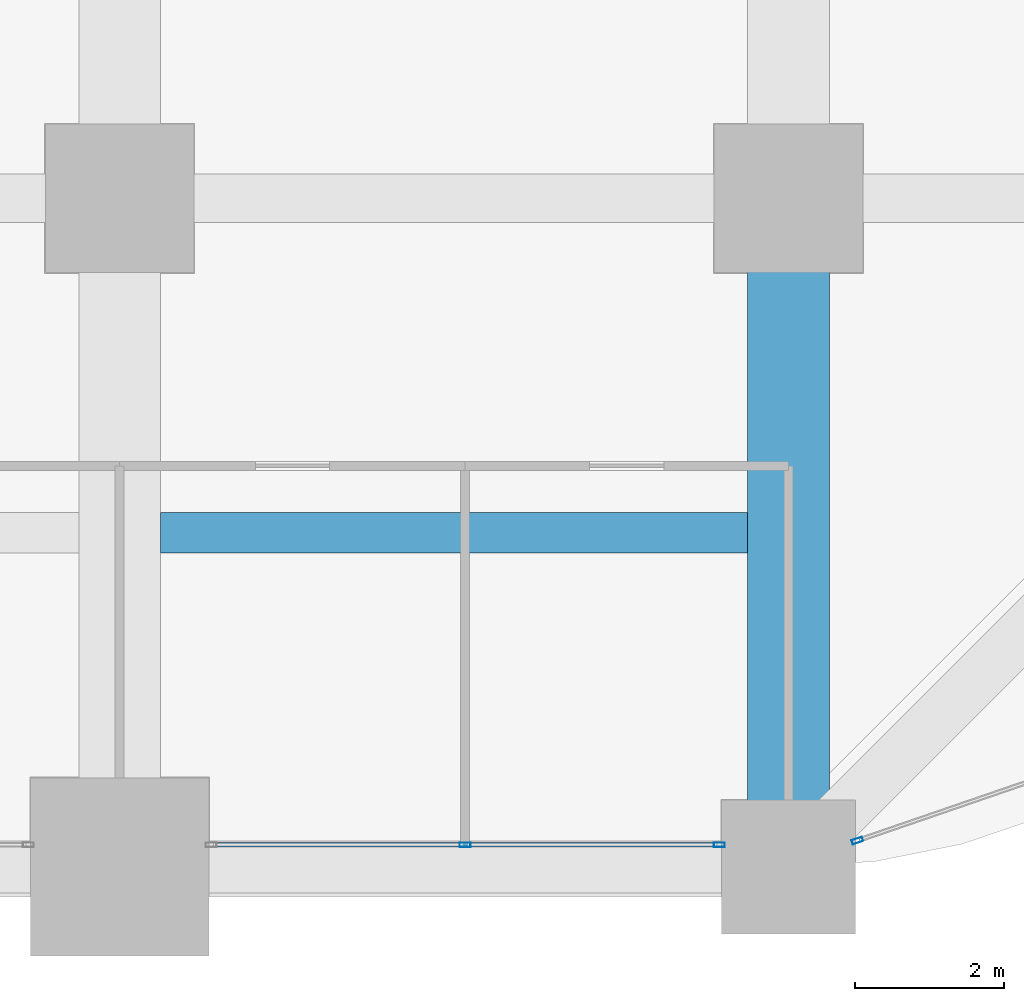
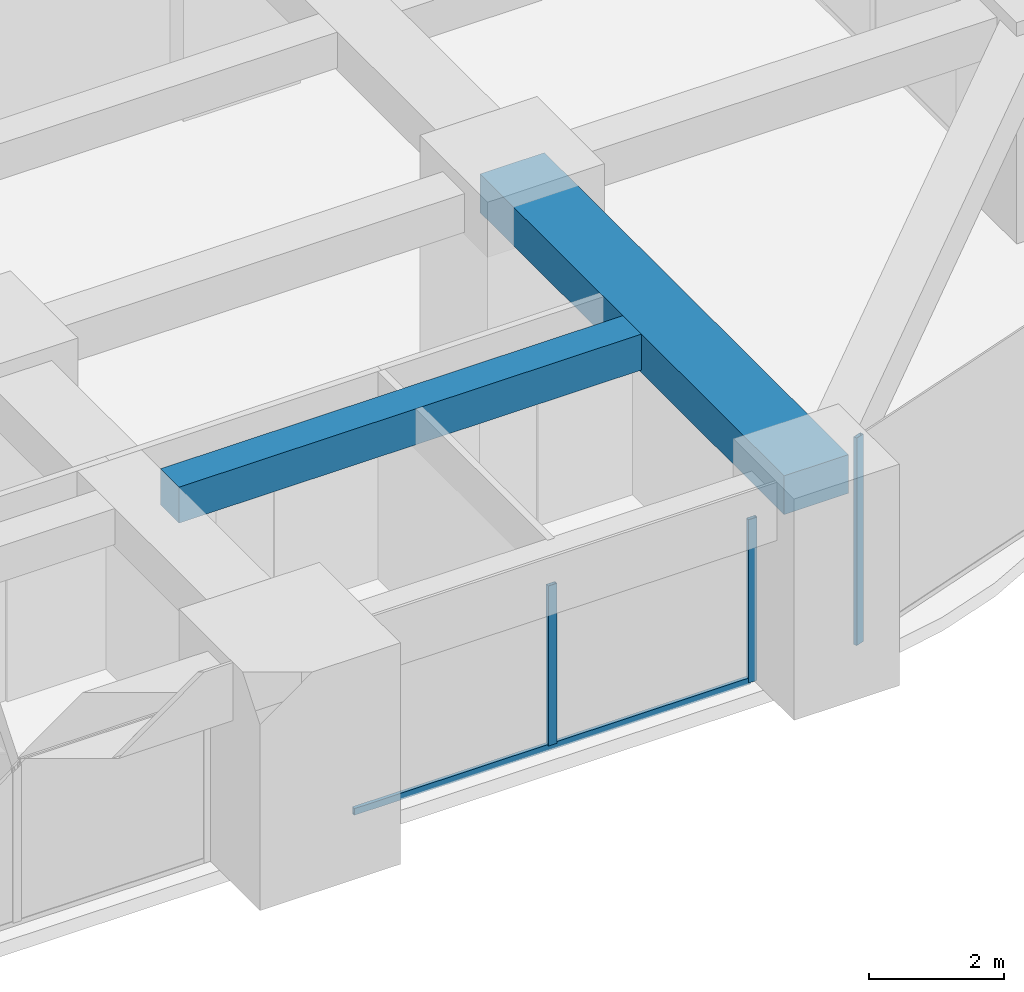
# One storey, part 16 of 41: 4 members, 2 beams, 2 elements without a shape of their own.
"""IFC4 building model written with IfcOpenShell, lengths in metres."""

from ifc_helpers import new_model, si_unit, direction, frame, origin, origin_2d, place, context, subcontext, project, spatial, rectangle, hollow_rectangle, extrude, material, material_profile, profile_set, type_object, element, aggregate, save


model = new_model("IFC4")

# Units and contexts
model_context = context("Model", 3, precision=1e-05, world=origin(), true_north=direction((0.0, 1.0)))
body_context = subcontext(model_context, "Body", "Model", "MODEL_VIEW")
ifc_project = project(units=[si_unit("LENGTHUNIT", "METRE"), si_unit("AREAUNIT", "SQUARE_METRE"), si_unit("VOLUMEUNIT", "CUBIC_METRE"), si_unit("PLANEANGLEUNIT", "RADIAN"), si_unit("MASSUNIT", "GRAM", prefix="KILO")], contexts=[model_context])

# Site, building, storey
site_placement = place(None, origin())
site = spatial("IfcSite", under=ifc_project, at=site_placement, CompositionType="ELEMENT")
building_placement = place(site_placement, origin())
building = spatial("IfcBuilding", under=site, at=building_placement, Name="Zorevar Civic Tower", CompositionType="ELEMENT")
storey_placement = place(building_placement, frame((0.0, 0.0, 101.0)))
storey = spatial("IfcBuildingStorey", under=building, at=storey_placement, Name="L24", CompositionType="ELEMENT", Elevation=101.0)

# Beams
ifc_material_1 = material(Name="Concrete C50/60", Category="concrete")
ifc_material_profile_1 = material_profile(ifc_material_1, rectangle(XDim=1.10009765625, YDim=0.699951171875, at=origin_2d()), Name="RC 1100x700")
ifc_profile_set_1 = profile_set([ifc_material_profile_1], Name="Concrete C50/60")
beam_type_1 = type_object("IfcBeamType", Name="Beam RC 1100x700", PredefinedType="BEAM", material=ifc_profile_set_1)
beam_1_placement = place(storey_placement, frame((54.0, 0.0, 3.39990234375), z_axis=(0.0, 1.0, 0.0), x_axis=(-1.0, 0.0, 0.0)))
element("IfcBeam", 1, at=beam_1_placement, inside=storey, type_object=beam_type_1, Name="Girder L25", PredefinedType="BEAM", context=body_context, shape_type="SweptSolid", body=[
    extrude(rectangle(XDim=1.10009765625, YDim=0.699951171875, at=origin_2d()), origin(), (0.0, 0.0, 1.0), 9.0),
])
ifc_material_2 = material(Name="Concrete C50/60", Category="concrete")
ifc_material_profile_2 = material_profile(ifc_material_2, rectangle(XDim=0.550048828125, YDim=0.64990234375, at=origin_2d()), Name="RC 550x650")
ifc_profile_set_2 = profile_set([ifc_material_profile_2], Name="Concrete C50/60")
beam_type_2 = type_object("IfcBeamType", Name="Beam RC 550x650", PredefinedType="BEAM", material=ifc_profile_set_2)
beam_2_placement = place(storey_placement, frame((45.550048828125, 4.5, 3.425048828125), z_axis=(1.0, 0.0, 0.0), x_axis=(0.0, 1.0, 0.0)))
element("IfcBeam", 2, at=beam_2_placement, inside=storey, type_object=beam_type_2, Name="Secondary beam L25", PredefinedType="BEAM", context=body_context, shape_type="SweptSolid", body=[
    extrude(rectangle(XDim=0.550048828125, YDim=0.64990234375, at=origin_2d()), origin(), (0.0, 0.0, 1.0), 7.89990234375),
])

# Curtain wall, members
ifc_material_3 = material(Name="Dark grey solar-control glass in black aluminium frame", Category="aluminium")
curtain_wall_type = type_object("IfcCurtainWallType", Name="Curtain wall CW3 mid zone", PredefinedType="NOTDEFINED", material=ifc_material_3)
curtain_wall_1_placement = place(storey_placement, origin())
curtain_wall_1 = element("IfcCurtainWall", 3, at=curtain_wall_1_placement, inside=storey, type_object=curtain_wall_type, Name="CW3 L24", PredefinedType="NOTDEFINED")
ifc_material_4 = material(Name="Aluminium, black anodised", Category="aluminium")
ifc_material_profile_3 = material_profile(ifc_material_4, hollow_rectangle(XDim=0.06005859375, YDim=0.14990234375, WallThickness=0.00390625, at=origin_2d()), Name="AL 150x60x4")
ifc_profile_set_3 = profile_set([ifc_material_profile_3], Name="Aluminium, black anodised")
member_type_1 = type_object("IfcMemberType", Name="CW3 mullion AL 150x60x4", PredefinedType="MULLION", material=ifc_profile_set_3)
member_1_placement = place(storey_placement, frame((49.64990234375, 0.300048828125, 0.06005859375), z_axis=(0.0, 0.0, 1.0), x_axis=(0.0, 1.0, 0.0)))
member_1 = element("IfcMember", 4, at=member_1_placement, type_object=member_type_1, Name="CW3 mullion 2", PredefinedType="MULLION", context=body_context, shape_type="SweptSolid", body=[
    extrude(hollow_rectangle(XDim=0.06005859375, YDim=0.14990234375, WallThickness=0.00390625, at=origin_2d()), origin(), (0.0, 0.0, 1.0), 2.889892578125),
])
member_2_placement = place(storey_placement, frame((53.070068359375, 0.300048828125, 0.0), z_axis=(0.0, 0.0, 1.0), x_axis=(0.0, 1.0, 0.0)))
member_2 = element("IfcMember", 5, at=member_2_placement, type_object=member_type_1, Name="CW3 mullion 3", PredefinedType="MULLION", context=body_context, shape_type="SweptSolid", body=[
    extrude(hollow_rectangle(XDim=0.06005859375, YDim=0.14990234375, WallThickness=0.00390625, at=origin_2d()), origin(), (0.0, 0.0, 1.0), 2.949951171875),
])

# Curtain wall, member
curtain_wall_2_placement = place(storey_placement, origin())
curtain_wall_2 = element("IfcCurtainWall", 6, at=curtain_wall_2_placement, inside=storey, type_object=curtain_wall_type, Name="CW3 L24", PredefinedType="NOTDEFINED")
member_3_placement = place(storey_placement, frame((54.928466796875, 0.3564453125, 0.0), z_axis=(0.0, 0.0, 1.0), x_axis=(-0.324878466857, 0.945755772794, 0.0)))
member_3 = element("IfcMember", 7, at=member_3_placement, type_object=member_type_1, Name="CW3 mullion 1", PredefinedType="MULLION", context=body_context, shape_type="SweptSolid", body=[
    extrude(hollow_rectangle(XDim=0.06005859375, YDim=0.14990234375, WallThickness=0.00390625, at=origin_2d()), origin(), (0.0, 0.0, 1.0), 3.75),
])
aggregate(curtain_wall_2, [member_3])

# Member
ifc_material_5 = material(Name="Aluminium, black anodised", Category="aluminium")
ifc_material_profile_4 = material_profile(ifc_material_5, hollow_rectangle(XDim=0.06005859375, YDim=0.1201171875, WallThickness=0.0029296875, at=origin_2d()), Name="AL 120x60x3")
ifc_profile_set_4 = profile_set([ifc_material_profile_4], Name="Aluminium, black anodised")
member_type_2 = type_object("IfcMemberType", Name="CW3 transom AL 120x60x3", PredefinedType="USERDEFINED", material=ifc_profile_set_4)
member_4_placement = place(storey_placement, frame((46.260009765625, 0.300048828125, 0.030029296875), z_axis=(1.0, 0.0, 0.0), x_axis=(0.0, 1.0, 0.0)))
member_4 = element("IfcMember", 8, at=member_4_placement, type_object=member_type_2, Name="CW3 sill transom", ObjectType="TRANSOM", PredefinedType="USERDEFINED", context=body_context, shape_type="SweptSolid", body=[
    extrude(hollow_rectangle(XDim=0.06005859375, YDim=0.1201171875, WallThickness=0.0029296875, at=origin_2d()), origin(), (0.0, 0.0, 1.0), 6.780029296875),
])

aggregate(curtain_wall_1, [member_1, member_2, member_4])

save(model, "model.ifc")
